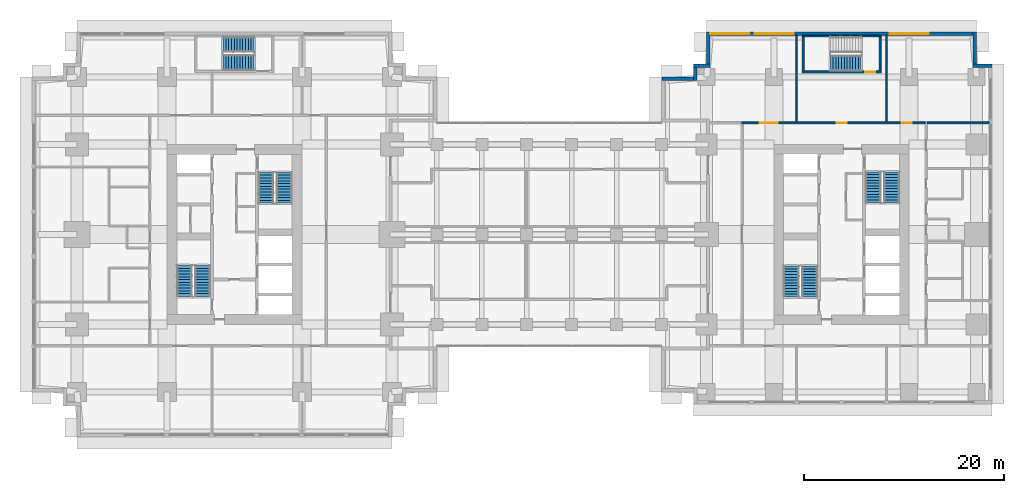
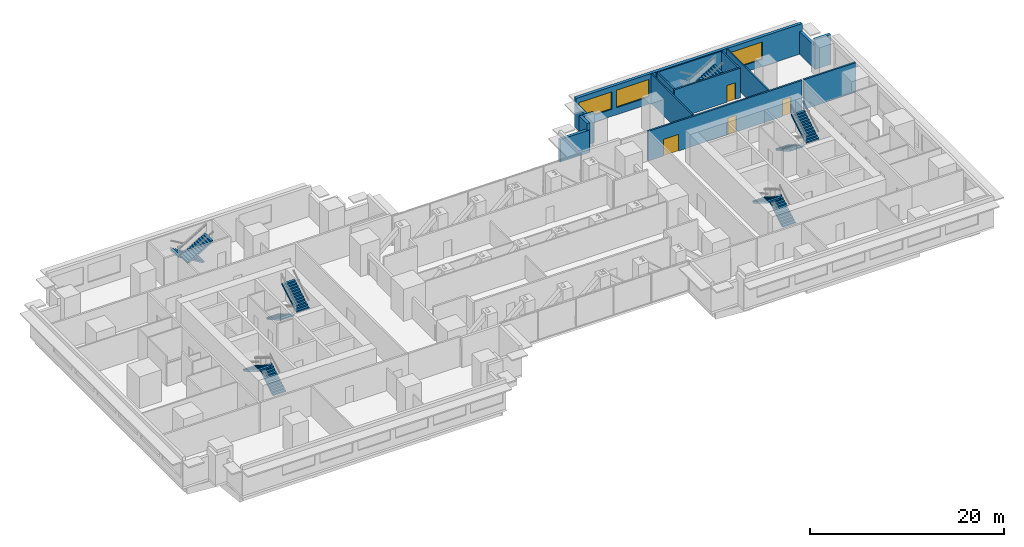
# One storey, part 12 of 16: 15 walls, 11 stair flights, 4 doors, 3 windows, 7 openings, 6 elements without a shape of their own.
"""IFC4 building model written with IfcOpenShell, lengths in metres."""

from ifc_helpers import new_model, si_unit, direction, frame, frame_2d, origin, place, context, subcontext, project, spatial, polyline, rectangle, outline, extrude, material, layer, layer_set, type_object, element, fill, aggregate, save


model = new_model("IFC4")

# Units and contexts
model_context = context("Model", 3, precision=1e-05, world=origin(), true_north=direction((0.0, 1.0)))
body_context = subcontext(model_context, "Body", "Model", "MODEL_VIEW")
ifc_project = project(units=[si_unit("LENGTHUNIT", "METRE"), si_unit("AREAUNIT", "SQUARE_METRE"), si_unit("VOLUMEUNIT", "CUBIC_METRE"), si_unit("PLANEANGLEUNIT", "RADIAN"), si_unit("MASSUNIT", "GRAM", prefix="KILO")], contexts=[model_context])

# Site, building, storey
site_placement = place(None, origin())
site = spatial("IfcSite", under=ifc_project, at=site_placement, CompositionType="ELEMENT")
building_placement = place(site_placement, origin())
building = spatial("IfcBuilding", under=site, at=building_placement, Name="Namib Vertical Campus", CompositionType="ELEMENT")
storey_placement = place(building_placement, frame((0.0, 0.0, 117.0)))
storey = spatial("IfcBuildingStorey", under=building, at=storey_placement, Name="L27", CompositionType="ELEMENT", Elevation=117.0)

# Wall, openings, doors
ifc_material_1 = material(Name="Concrete masonry", Category="masonry")
ifc_layer_1 = layer(ifc_material_1, 0.199951171875)
ifc_layer_set_1 = layer_set([ifc_layer_1], Name="Corridor wall 200")
wall_type_1 = type_object("IfcWallType", Name="Corridor wall 200", PredefinedType="SOLIDWALL", material=ifc_layer_set_1)
wall_1_placement = place(storey_placement, frame((89.35009765625, 31.39990234375, 0.0), z_axis=(0.0, 0.0, 1.0), x_axis=(-1.0, 0.0, 0.0)))
wall_1 = element("IfcWall", 1, at=wall_1_placement, inside=storey, type_object=wall_type_1, Name="Corridor wall B L27 CN", PredefinedType="SOLIDWALL", context=body_context, shape_type="SweptSolid", body=[
    extrude(rectangle(XDim=18.400146484375, YDim=0.199951171875, at=frame_2d((9.2001953125, 0.0))), origin(), (0.0, 0.0, 1.0), 3.75),
])
opening_1_placement = place(wall_1_placement, frame((14.72509765625, 0.0, 0.0)))
opening_1 = element("IfcOpeningElement", 2, at=opening_1_placement, cuts=wall_1, Name="Opening CD2", PredefinedType="OPENING", context=body_context, shape_type="SweptSolid", body=[
    extrude(rectangle(XDim=1.800048828125, YDim=2.10009765625, at=frame_2d((0.89990234375, 1.050048828125))), frame((0.0, 0.10986328125, 0.0), z_axis=(0.0, -1.0, 0.0), x_axis=(1.0, 0.0, 0.0)), (0.0, 0.0, 1.0), 0.219970703125),
])
opening_2_placement = place(wall_1_placement, frame((7.85009765625, 0.0, 0.0)))
opening_2 = element("IfcOpeningElement", 3, at=opening_2_placement, cuts=wall_1, Name="Opening CD1", PredefinedType="OPENING", context=body_context, shape_type="SweptSolid", body=[
    extrude(rectangle(XDim=1.0, YDim=2.10009765625, at=frame_2d((0.5, 1.050048828125))), frame((0.0, 0.10986328125, 0.0), z_axis=(0.0, -1.0, 0.0), x_axis=(1.0, 0.0, 0.0)), (0.0, 0.0, 1.0), 0.219970703125),
])
opening_3_placement = place(wall_1_placement, frame((1.324951171875, 0.0, 0.0)))
opening_3 = element("IfcOpeningElement", 4, at=opening_3_placement, cuts=wall_1, Name="Opening CD1", PredefinedType="OPENING", context=body_context, shape_type="SweptSolid", body=[
    extrude(rectangle(XDim=1.0, YDim=2.10009765625, at=frame_2d((0.5, 1.050048828125))), frame((0.0, 0.10986328125, 0.0), z_axis=(0.0, -1.0, 0.0), x_axis=(1.0, 0.0, 0.0)), (0.0, 0.0, 1.0), 0.219970703125),
])
ifc_material_2 = material(Name="Timber fire door leaf", Category="wood")
door_type_1 = type_object("IfcDoorType", Name="Corridor door 1000x2100 20 min", OperationType="SINGLE_SWING_LEFT", PredefinedType="DOOR", material=ifc_material_2)
door_1_placement = place(opening_2_placement, frame((1.0, 0.0, 0.0), z_axis=(0.0, 0.0, 1.0), x_axis=(-1.0, 0.0, 0.0)))
door_1 = element("IfcDoor", 5, at=door_1_placement, inside=storey, type_object=door_type_1, Name="Door CD1 B27-12", OperationType="SINGLE_SWING_RIGHT", OverallHeight=2.10009765625, OverallWidth=1.0, PredefinedType="DOOR", context=body_context, shape_type="SweptSolid", body=[
    extrude(rectangle(XDim=1.0, YDim=2.10009765625, at=frame_2d((0.5, 1.050048828125))), frame((0.0, 0.02490234375, 0.0), z_axis=(0.0, -1.0, 0.0), x_axis=(1.0, 0.0, 0.0)), (0.0, 0.0, 1.0), 0.050048828125),
])
fill(opening_2, door_1)
door_2_placement = place(opening_3_placement, frame((1.0, 0.0, 0.0), z_axis=(0.0, 0.0, 1.0), x_axis=(-1.0, 0.0, 0.0)))
door_2 = element("IfcDoor", 6, at=door_2_placement, inside=storey, type_object=door_type_1, Name="Door CD1 B27-13", OperationType="SINGLE_SWING_LEFT", OverallHeight=2.10009765625, OverallWidth=1.0, PredefinedType="DOOR", context=body_context, shape_type="SweptSolid", body=[
    extrude(rectangle(XDim=1.0, YDim=2.10009765625, at=frame_2d((0.5, 1.050048828125))), frame((0.0, 0.02490234375, 0.0), z_axis=(0.0, -1.0, 0.0), x_axis=(1.0, 0.0, 0.0)), (0.0, 0.0, 1.0), 0.050048828125),
])
fill(opening_3, door_2)
ifc_material_3 = material(Name="Timber fire door leaf", Category="wood")
door_type_2 = type_object("IfcDoorType", Name="Corridor door double 1800x2100 20 min", OperationType="DOUBLE_DOOR_SINGLE_SWING", PredefinedType="DOOR", material=ifc_material_3)
door_3_placement = place(opening_1_placement, frame((1.800048828125, 0.0, 0.0), z_axis=(0.0, 0.0, 1.0), x_axis=(-1.0, 0.0, 0.0)))
door_3 = element("IfcDoor", 7, at=door_3_placement, inside=storey, type_object=door_type_2, Name="Door CD2 B27-11", OperationType="DOUBLE_DOOR_SINGLE_SWING", OverallHeight=2.10009765625, OverallWidth=1.800048828125, PredefinedType="DOOR", context=body_context, shape_type="SweptSolid", body=[
    extrude(rectangle(XDim=1.800048828125, YDim=2.10009765625, at=frame_2d((0.89990234375, 1.050048828125))), frame((0.0, 0.02490234375, 0.0), z_axis=(0.0, -1.0, 0.0), x_axis=(1.0, 0.0, 0.0)), (0.0, 0.0, 1.0), 0.050048828125),
])
fill(opening_1, door_3)

# Walls
wall_2_placement = place(storey_placement, frame((89.550048828125, 31.39990234375, 0.0), z_axis=(0.0, 0.0, 1.0), x_axis=(1.0, 0.0, 0.0)))
element("IfcWall", 8, at=wall_2_placement, inside=storey, type_object=wall_type_1, Name="Partition B L27 BNE", PredefinedType="SOLIDWALL", context=body_context, shape_type="SweptSolid", body=[
    extrude(rectangle(XDim=6.199951171875, YDim=0.199951171875, at=frame_2d((3.10009765625, 0.0))), origin(), (0.0, 0.0, 1.0), 3.75),
])
ifc_material_4 = material(Name="Concrete C40/50", Category="concrete")
ifc_layer_2 = layer(ifc_material_4, 0.35009765625)
ifc_layer_set_2 = layer_set([ifc_layer_2], Name="Concrete C40/50")
wall_type_2 = type_object("IfcWallType", Name="External wall 350 bush-hammered concrete", PredefinedType="STANDARD", material=ifc_layer_set_2)
wall_3_placement = place(storey_placement, frame((96.030029296875, 37.125, 0.0), z_axis=(0.0, 0.0, 1.0), x_axis=(-1.0, 0.0, 0.0)))
element("IfcWall", 9, at=wall_3_placement, inside=storey, type_object=wall_type_2, Name="External wall L27 F06", PredefinedType="STANDARD", context=body_context, shape_type="SweptSolid", body=[
    extrude(rectangle(XDim=1.860107421875, YDim=0.35009765625, at=frame_2d((0.93017578125, 0.0))), origin(), (0.0, 0.0, 1.0), 3.75),
])
wall_4_placement = place(storey_placement, frame((94.324951171875, 36.969970703125, 0.0), z_axis=(0.0, 0.0, 1.0), x_axis=(0.0, 1.0, 0.0)))
element("IfcWall", 10, at=wall_4_placement, inside=storey, type_object=wall_type_2, Name="External wall L27 F07", PredefinedType="STANDARD", context=body_context, shape_type="SweptSolid", body=[
    extrude(rectangle(XDim=3.510009765625, YDim=0.35009765625, at=frame_2d((1.7548828125, 0.0))), origin(), (0.0, 0.0, 1.0), 2.85009765625),
])

# Wall, openings, windows
wall_5_placement = place(storey_placement, frame((94.47998046875, 40.324951171875, 0.0), z_axis=(0.0, 0.0, 1.0), x_axis=(-1.0, 0.0, 0.0)))
wall_5 = element("IfcWall", 11, at=wall_5_placement, inside=storey, type_object=wall_type_2, Name="External wall L27 F08", PredefinedType="STANDARD", context=body_context, shape_type="SweptSolid", body=[
    extrude(rectangle(XDim=26.9599609375, YDim=0.35009765625, at=frame_2d((13.47998046875, 0.0))), origin(), (0.0, 0.0, 1.0), 3.75),
])
opening_4_placement = place(wall_5_placement, frame((22.7099609375, 0.0, 0.89990234375)))
opening_4 = element("IfcOpeningElement", 12, at=opening_4_placement, cuts=wall_5, Name="Opening W1", PredefinedType="OPENING", context=body_context, shape_type="SweptSolid", body=[
    extrude(rectangle(XDim=3.89990234375, YDim=2.199951171875, at=frame_2d((1.949951171875, 1.10009765625))), frame((0.0, 0.18505859375, 0.0), z_axis=(0.0, -1.0, 0.0), x_axis=(1.0, 0.0, 0.0)), (0.0, 0.0, 1.0), 0.3701171875),
])
opening_5_placement = place(wall_5_placement, frame((18.280029296875, 0.0, 0.89990234375)))
opening_5 = element("IfcOpeningElement", 13, at=opening_5_placement, cuts=wall_5, Name="Opening W1", PredefinedType="OPENING", context=body_context, shape_type="SweptSolid", body=[
    extrude(rectangle(XDim=3.89990234375, YDim=2.199951171875, at=frame_2d((1.949951171875, 1.10009765625))), frame((0.0, 0.18505859375, 0.0), z_axis=(0.0, -1.0, 0.0), x_axis=(1.0, 0.0, 0.0)), (0.0, 0.0, 1.0), 0.3701171875),
])
opening_6_placement = place(wall_5_placement, frame((4.780029296875, 0.0, 0.89990234375)))
opening_6 = element("IfcOpeningElement", 14, at=opening_6_placement, cuts=wall_5, Name="Opening W1", PredefinedType="OPENING", context=body_context, shape_type="SweptSolid", body=[
    extrude(rectangle(XDim=3.89990234375, YDim=2.199951171875, at=frame_2d((1.949951171875, 1.10009765625))), frame((0.0, 0.18505859375, 0.0), z_axis=(0.0, -1.0, 0.0), x_axis=(1.0, 0.0, 0.0)), (0.0, 0.0, 1.0), 0.3701171875),
])
ifc_material_5 = material(Name="Dark tinted glass in black aluminium frame", Category="aluminium")
window_type = type_object("IfcWindowType", Name="Ribbon window 3900x2200", PartitioningType="SINGLE_PANEL", PredefinedType="WINDOW", material=ifc_material_5)
window_1_placement = place(opening_4_placement, origin())
window_1 = element("IfcWindow", 15, at=window_1_placement, inside=storey, type_object=window_type, Name="Window W1 L27 F08-1", OverallHeight=2.199951171875, OverallWidth=3.89990234375, PartitioningType="SINGLE_PANEL", PredefinedType="WINDOW", context=body_context, shape_type="SweptSolid", body=[
    extrude(rectangle(XDim=3.89990234375, YDim=2.199951171875, at=frame_2d((1.949951171875, 1.10009765625))), frame((0.0, 0.030029296875, 0.0), z_axis=(0.0, -1.0, 0.0), x_axis=(1.0, 0.0, 0.0)), (0.0, 0.0, 1.0), 0.06005859375),
])
fill(opening_4, window_1)
window_2_placement = place(opening_5_placement, origin())
window_2 = element("IfcWindow", 16, at=window_2_placement, inside=storey, type_object=window_type, Name="Window W1 L27 F08-2", OverallHeight=2.199951171875, OverallWidth=3.89990234375, PartitioningType="SINGLE_PANEL", PredefinedType="WINDOW", context=body_context, shape_type="SweptSolid", body=[
    extrude(rectangle(XDim=3.89990234375, YDim=2.199951171875, at=frame_2d((1.949951171875, 1.10009765625))), frame((0.0, 0.030029296875, 0.0), z_axis=(0.0, -1.0, 0.0), x_axis=(1.0, 0.0, 0.0)), (0.0, 0.0, 1.0), 0.06005859375),
])
fill(opening_5, window_2)
window_3_placement = place(opening_6_placement, origin())
window_3 = element("IfcWindow", 17, at=window_3_placement, inside=storey, type_object=window_type, Name="Window W1 L27 F08-5", OverallHeight=2.199951171875, OverallWidth=3.89990234375, PartitioningType="SINGLE_PANEL", PredefinedType="WINDOW", context=body_context, shape_type="SweptSolid", body=[
    extrude(rectangle(XDim=3.89990234375, YDim=2.199951171875, at=frame_2d((1.949951171875, 1.10009765625))), frame((0.0, 0.030029296875, 0.0), z_axis=(0.0, -1.0, 0.0), x_axis=(1.0, 0.0, 0.0)), (0.0, 0.0, 1.0), 0.06005859375),
])
fill(opening_6, window_3)

# Walls
wall_6_placement = place(storey_placement, frame((67.675048828125, 40.47998046875, 0.0), z_axis=(0.0, 0.0, 1.0), x_axis=(0.0, -1.0, 0.0)))
element("IfcWall", 18, at=wall_6_placement, inside=storey, type_object=wall_type_2, Name="External wall L27 F09", PredefinedType="STANDARD", context=body_context, shape_type="SweptSolid", body=[
    extrude(rectangle(XDim=3.510009765625, YDim=0.35009765625, at=frame_2d((1.7548828125, 0.0))), origin(), (0.0, 0.0, 1.0), 2.85009765625),
])
for number, where, z_axis, x_axis, name in (
    (19, (67.830078125, 37.125, 0.0), (0.0, 0.0, 1.0), (-1.0, 0.0, 0.0), "External wall L27 F10"),
    (20, (66.375, 37.280029296875, 0.0), (0.0, 0.0, 1.0), (0.0, -1.0, 0.0), "External wall L27 F11"),
):
    element("IfcWall", number, at=place(storey_placement, frame(where, z_axis=z_axis, x_axis=x_axis)), inside=storey, type_object=wall_type_2, Name=name, PredefinedType="STANDARD", context=body_context, shape_type="SweptSolid", body=[
        extrude(rectangle(XDim=1.610107421875, YDim=0.35009765625, at=frame_2d((0.80517578125, 0.0))), origin(), (0.0, 0.0, 1.0), 3.75),
    ])
wall_7_placement = place(storey_placement, frame((66.530029296875, 35.824951171875, 0.0), z_axis=(0.0, 0.0, 1.0), x_axis=(-1.0, 0.0, 0.0)))
element("IfcWall", 21, at=wall_7_placement, inside=storey, type_object=wall_type_2, Name="External wall L27 F12", PredefinedType="STANDARD", context=body_context, shape_type="SweptSolid", body=[
    extrude(rectangle(XDim=3.510009765625, YDim=0.35009765625, at=frame_2d((1.7548828125, 0.0))), origin(), (0.0, 0.0, 1.0), 2.85009765625),
])
ifc_material_6 = material(Name="Gypsum board on steel studs", Category="steel")
ifc_layer_3 = layer(ifc_material_6, 0.14990234375)
ifc_layer_set_3 = layer_set([ifc_layer_3], Name="Gypsum board on steel studs")
wall_type_3 = type_object("IfcWallType", Name="Partition 150", PredefinedType="PARTITIONING", material=ifc_layer_set_3)
for number, where, z_axis, x_axis, name in (
    (22, (76.5, 31.5, 0.0), (0.0, 0.0, 1.0), (0.0, 1.0, 0.0), "Partition B L27 PN1"),
    (23, (85.5, 31.5, 0.0), (0.0, 0.0, 1.0), (0.0, 1.0, 0.0), "Partition B L27 PN2"),
):
    element("IfcWall", number, at=place(storey_placement, frame(where, z_axis=z_axis, x_axis=x_axis)), inside=storey, type_object=wall_type_3, Name=name, PredefinedType="PARTITIONING", context=body_context, shape_type="SweptSolid", body=[
        extrude(rectangle(XDim=8.699951171875, YDim=0.14990234375, at=frame_2d((4.35009765625, 0.0))), origin(), (0.0, 0.0, 1.0), 3.75),
    ])
ifc_material_7 = material(Name="Concrete C40/50", Category="concrete")
ifc_layer_4 = layer(ifc_material_7, 0.14990234375)
ifc_layer_set_4 = layer_set([ifc_layer_4], Name="Concrete C40/50")
wall_type_4 = type_object("IfcWallType", Name="Stair enclosure wall RC 150", PredefinedType="SOLIDWALL", material=ifc_layer_set_4)
wall_8_placement = place(storey_placement, frame((77.050048828125, 40.074951171875, 0.0), z_axis=(0.0, 0.0, 1.0), x_axis=(1.0, 0.0, 0.0)))
element("IfcWall", 24, at=wall_8_placement, inside=storey, type_object=wall_type_4, Name="Stair enclosure wall B-S3 L27 N", PredefinedType="SOLIDWALL", context=body_context, shape_type="SweptSolid", body=[
    extrude(rectangle(XDim=7.89990234375, YDim=0.14990234375, at=frame_2d((3.949951171875, 0.0))), origin(), (0.0, 0.0, 1.0), 3.75),
])

# Wall, opening, door
ifc_material_8 = material(Name="Concrete C40/50", Category="concrete")
ifc_layer_5 = layer(ifc_material_8, 0.199951171875)
ifc_layer_set_5 = layer_set([ifc_layer_5], Name="Concrete C40/50")
wall_type_5 = type_object("IfcWallType", Name="Stair enclosure wall RC 200", PredefinedType="SOLIDWALL", material=ifc_layer_set_5)
wall_9_placement = place(storey_placement, frame((77.050048828125, 36.5, 0.0), z_axis=(0.0, 0.0, 1.0), x_axis=(1.0, 0.0, 0.0)))
wall_9 = element("IfcWall", 25, at=wall_9_placement, inside=storey, type_object=wall_type_5, Name="Stair enclosure wall B-S3 L27 S", PredefinedType="SOLIDWALL", context=body_context, shape_type="SweptSolid", body=[
    extrude(rectangle(XDim=7.89990234375, YDim=0.199951171875, at=frame_2d((3.949951171875, 0.0))), origin(), (0.0, 0.0, 1.0), 3.75),
])
opening_7_placement = place(wall_9_placement, frame((6.300048828125, 0.0, 0.0)))
opening_7 = element("IfcOpeningElement", 26, at=opening_7_placement, cuts=wall_9, Name="Opening FD1", PredefinedType="OPENING", context=body_context, shape_type="SweptSolid", body=[
    extrude(rectangle(XDim=1.0, YDim=2.10009765625, at=frame_2d((0.5, 1.050048828125))), frame((0.0, 0.10986328125, 0.0), z_axis=(0.0, -1.0, 0.0), x_axis=(1.0, 0.0, 0.0)), (0.0, 0.0, 1.0), 0.219970703125),
])
ifc_material_9 = material(Name="Steel fire door", Category="steel")
door_type_3 = type_object("IfcDoorType", Name="Fire door 1000x2100", OperationType="SINGLE_SWING_RIGHT", PredefinedType="DOOR", material=ifc_material_9)
door_4_placement = place(opening_7_placement, origin())
door_4 = element("IfcDoor", 27, at=door_4_placement, inside=storey, type_object=door_type_3, Name="Stair door FD1 B L27 S3", OperationType="SINGLE_SWING_RIGHT", OverallHeight=2.10009765625, OverallWidth=1.0, PredefinedType="DOOR", context=body_context, shape_type="SweptSolid", body=[
    extrude(rectangle(XDim=1.0, YDim=2.10009765625, at=frame_2d((0.5, 1.050048828125))), frame((0.0, 0.02490234375, 0.0), z_axis=(0.0, -1.0, 0.0), x_axis=(1.0, 0.0, 0.0)), (0.0, 0.0, 1.0), 0.050048828125),
])
fill(opening_7, door_4)

# Walls
for number, where, z_axis, x_axis, name in (
    (28, (77.14990234375, 36.60009765625, 0.0), (0.0, 0.0, 1.0), (0.0, 1.0, 0.0), "Stair enclosure wall B-S3 L27 W"),
    (29, (84.85009765625, 36.60009765625, 0.0), (0.0, 0.0, 1.0), (0.0, 1.0, 0.0), "Stair enclosure wall B-S3 L27 E"),
):
    element("IfcWall", number, at=place(storey_placement, frame(where, z_axis=z_axis, x_axis=x_axis)), inside=storey, type_object=wall_type_5, Name=name, PredefinedType="SOLIDWALL", context=body_context, shape_type="SweptSolid", body=[
        extrude(rectangle(XDim=3.39990234375, YDim=0.199951171875, at=frame_2d((1.699951171875, 0.0))), origin(), (0.0, 0.0, 1.0), 3.75),
    ])

# Stair, stair flights
ifc_material_10 = material(Name="Concrete C40/50 precast", Category="concrete")
stair_type_1 = type_object("IfcStairType", Name="Exit stair 4000 rise 24 risers 3350 wide", PredefinedType="HALF_TURN_STAIR", material=ifc_material_10)
stair_1_placement = place(storey_placement, origin())
stair_1 = element("IfcStair", 30, at=stair_1_placement, inside=storey, type_object=stair_type_1, Name="Exit stair A-S1 L27", PredefinedType="HALF_TURN_STAIR")
ifc_material_11 = material(Name="Concrete C40/50 precast", Category="concrete")
stair_flight_type_1 = type_object("IfcStairFlightType", Name="Stair flight 12 risers 167 1525 wide", PredefinedType="STRAIGHT", material=ifc_material_11)
stair_flight_1_placement = place(storey_placement, frame((17.08740234375, 14.050048828125, 0.0), z_axis=(0.0, 0.0, 1.0), x_axis=(0.0, 1.0, 0.0)))
stair_flight_1 = element("IfcStairFlight", 31, at=stair_flight_1_placement, type_object=stair_flight_type_1, Name="A-S1 flight 1", NumberOfRisers=12, NumberOfTreads=11, PredefinedType="STRAIGHT", RiserHeight=0.166666667, TreadLength=0.28, context=body_context, shape_type="SweptSolid", body=[
    extrude(outline(polyline([(0.0, 0.0), (0.0, 0.166748046875), (0.280029296875, 0.166748046875), (0.280029296875, 0.333251953125), (0.56005859375, 0.333251953125), (0.56005859375, 0.5), (0.840087890625, 0.5), (0.840087890625, 0.666748046875), (1.1201171875, 0.666748046875), (1.1201171875, 0.833251953125), (1.39990234375, 0.833251953125), (1.39990234375, 1.0), (1.679931640625, 1.0), (1.679931640625, 1.166748046875), (1.9599609375, 1.166748046875), (1.9599609375, 1.333251953125), (2.239990234375, 1.333251953125), (2.239990234375, 1.5), (2.52001953125, 1.5), (2.52001953125, 1.666748046875), (2.800048828125, 1.666748046875), (2.800048828125, 1.833251953125), (3.080078125, 1.833251953125), (3.080078125, 2.0), (3.080078125, 1.658935546875), (0.29296875, 0.0), (0.0, 0.0)])), frame((0.0, 0.762451171875, 0.0), z_axis=(0.0, -1.0, 0.0), x_axis=(1.0, 0.0, 0.0)), (0.0, 0.0, 1.0), 1.52490234375),
])
stair_flight_2_placement = place(storey_placement, frame((15.262451171875, 17.1298828125, 2.0), z_axis=(0.0, 0.0, 1.0), x_axis=(0.0, -1.0, 0.0)))
stair_flight_2 = element("IfcStairFlight", 32, at=stair_flight_2_placement, type_object=stair_flight_type_1, Name="A-S1 flight 2", NumberOfRisers=12, NumberOfTreads=11, PredefinedType="STRAIGHT", RiserHeight=0.166666667, TreadLength=0.28, context=body_context, shape_type="SweptSolid", body=[
    extrude(outline(polyline([(0.0, 0.0), (0.0, 0.166748046875), (0.280029296875, 0.166748046875), (0.280029296875, 0.333251953125), (0.56005859375, 0.333251953125), (0.56005859375, 0.5), (0.840087890625, 0.5), (0.840087890625, 0.666748046875), (1.1201171875, 0.666748046875), (1.1201171875, 0.833251953125), (1.39990234375, 0.833251953125), (1.39990234375, 1.0), (1.679931640625, 1.0), (1.679931640625, 1.166748046875), (1.9599609375, 1.166748046875), (1.9599609375, 1.333251953125), (2.239990234375, 1.333251953125), (2.239990234375, 1.5), (2.52001953125, 1.5), (2.52001953125, 1.666748046875), (2.800048828125, 1.666748046875), (2.800048828125, 1.833251953125), (3.080078125, 1.833251953125), (3.080078125, 2.0), (3.080078125, 1.658935546875), (0.29296875, 0.0), (0.0, 0.0)])), frame((0.0, 0.762451171875, 0.0), z_axis=(0.0, -1.0, 0.0), x_axis=(1.0, 0.0, 0.0)), (0.0, 0.0, 1.0), 1.52490234375),
])
aggregate(stair_1, [stair_flight_1, stair_flight_2])

stair_2_placement = place(storey_placement, origin())
stair_2 = element("IfcStair", 33, at=stair_2_placement, inside=storey, type_object=stair_type_1, Name="Exit stair A-S2 L27", PredefinedType="HALF_TURN_STAIR")
stair_flight_3_placement = place(storey_placement, frame((23.41259765625, 26.449951171875, 0.0), z_axis=(0.0, 0.0, 1.0), x_axis=(0.0, -1.0, 0.0)))
stair_flight_3 = element("IfcStairFlight", 34, at=stair_flight_3_placement, type_object=stair_flight_type_1, Name="A-S2 flight 1", NumberOfRisers=12, NumberOfTreads=11, PredefinedType="STRAIGHT", RiserHeight=0.166666667, TreadLength=0.28, context=body_context, shape_type="SweptSolid", body=[
    extrude(outline(polyline([(0.0, 0.0), (0.0, 0.166748046875), (0.280029296875, 0.166748046875), (0.280029296875, 0.333251953125), (0.56005859375, 0.333251953125), (0.56005859375, 0.5), (0.840087890625, 0.5), (0.840087890625, 0.666748046875), (1.1201171875, 0.666748046875), (1.1201171875, 0.833251953125), (1.39990234375, 0.833251953125), (1.39990234375, 1.0), (1.679931640625, 1.0), (1.679931640625, 1.166748046875), (1.9599609375, 1.166748046875), (1.9599609375, 1.333251953125), (2.239990234375, 1.333251953125), (2.239990234375, 1.5), (2.52001953125, 1.5), (2.52001953125, 1.666748046875), (2.800048828125, 1.666748046875), (2.800048828125, 1.833251953125), (3.080078125, 1.833251953125), (3.080078125, 2.0), (3.080078125, 1.658935546875), (0.29296875, 0.0), (0.0, 0.0)])), frame((0.0, 0.762451171875, 0.0), z_axis=(0.0, -1.0, 0.0), x_axis=(1.0, 0.0, 0.0)), (0.0, 0.0, 1.0), 1.52490234375),
])
stair_flight_4_placement = place(storey_placement, frame((25.237548828125, 23.3701171875, 2.0), z_axis=(0.0, 0.0, 1.0), x_axis=(0.0, 1.0, 0.0)))
stair_flight_4 = element("IfcStairFlight", 35, at=stair_flight_4_placement, type_object=stair_flight_type_1, Name="A-S2 flight 2", NumberOfRisers=12, NumberOfTreads=11, PredefinedType="STRAIGHT", RiserHeight=0.166666667, TreadLength=0.28, context=body_context, shape_type="SweptSolid", body=[
    extrude(outline(polyline([(0.0, 0.0), (0.0, 0.166748046875), (0.280029296875, 0.166748046875), (0.280029296875, 0.333251953125), (0.56005859375, 0.333251953125), (0.56005859375, 0.5), (0.840087890625, 0.5), (0.840087890625, 0.666748046875), (1.1201171875, 0.666748046875), (1.1201171875, 0.833251953125), (1.39990234375, 0.833251953125), (1.39990234375, 1.0), (1.679931640625, 1.0), (1.679931640625, 1.166748046875), (1.9599609375, 1.166748046875), (1.9599609375, 1.333251953125), (2.239990234375, 1.333251953125), (2.239990234375, 1.5), (2.52001953125, 1.5), (2.52001953125, 1.666748046875), (2.800048828125, 1.666748046875), (2.800048828125, 1.833251953125), (3.080078125, 1.833251953125), (3.080078125, 2.0), (3.080078125, 1.658935546875), (0.29296875, 0.0), (0.0, 0.0)])), frame((0.0, 0.762451171875, 0.0), z_axis=(0.0, -1.0, 0.0), x_axis=(1.0, 0.0, 0.0)), (0.0, 0.0, 1.0), 1.52490234375),
])
aggregate(stair_2, [stair_flight_3, stair_flight_4])

stair_3_placement = place(storey_placement, origin())
stair_3 = element("IfcStair", 36, at=stair_3_placement, inside=storey, type_object=stair_type_1, Name="Exit stair A-S3 L27", PredefinedType="HALF_TURN_STAIR")
stair_flight_5_placement = place(storey_placement, frame((22.199951171875, 39.237548828125, 0.0), z_axis=(0.0, 0.0, 1.0), x_axis=(-1.0, 0.0, 0.0)))
stair_flight_5 = element("IfcStairFlight", 37, at=stair_flight_5_placement, type_object=stair_flight_type_1, Name="A-S3 flight 1", NumberOfRisers=12, NumberOfTreads=11, PredefinedType="STRAIGHT", RiserHeight=0.166666667, TreadLength=0.28, context=body_context, shape_type="SweptSolid", body=[
    extrude(outline(polyline([(0.0, 0.0), (0.0, 0.166748046875), (0.280029296875, 0.166748046875), (0.280029296875, 0.333251953125), (0.56005859375, 0.333251953125), (0.56005859375, 0.5), (0.840087890625, 0.5), (0.840087890625, 0.666748046875), (1.1201171875, 0.666748046875), (1.1201171875, 0.833251953125), (1.39990234375, 0.833251953125), (1.39990234375, 1.0), (1.679931640625, 1.0), (1.679931640625, 1.166748046875), (1.9599609375, 1.166748046875), (1.9599609375, 1.333251953125), (2.239990234375, 1.333251953125), (2.239990234375, 1.5), (2.52001953125, 1.5), (2.52001953125, 1.666748046875), (2.800048828125, 1.666748046875), (2.800048828125, 1.833251953125), (3.080078125, 1.833251953125), (3.080078125, 2.0), (3.080078125, 1.658935546875), (0.29296875, 0.0), (0.0, 0.0)])), frame((0.0, 0.762451171875, 0.0), z_axis=(0.0, -1.0, 0.0), x_axis=(1.0, 0.0, 0.0)), (0.0, 0.0, 1.0), 1.52490234375),
])
stair_flight_6_placement = place(storey_placement, frame((19.1201171875, 37.41259765625, 2.0), z_axis=(0.0, 0.0, 1.0), x_axis=(1.0, 0.0, 0.0)))
stair_flight_6 = element("IfcStairFlight", 38, at=stair_flight_6_placement, type_object=stair_flight_type_1, Name="A-S3 flight 2", NumberOfRisers=12, NumberOfTreads=11, PredefinedType="STRAIGHT", RiserHeight=0.166666667, TreadLength=0.28, context=body_context, shape_type="SweptSolid", body=[
    extrude(outline(polyline([(0.0, 0.0), (0.0, 0.166748046875), (0.280029296875, 0.166748046875), (0.280029296875, 0.333251953125), (0.56005859375, 0.333251953125), (0.56005859375, 0.5), (0.840087890625, 0.5), (0.840087890625, 0.666748046875), (1.1201171875, 0.666748046875), (1.1201171875, 0.833251953125), (1.39990234375, 0.833251953125), (1.39990234375, 1.0), (1.679931640625, 1.0), (1.679931640625, 1.166748046875), (1.9599609375, 1.166748046875), (1.9599609375, 1.333251953125), (2.239990234375, 1.333251953125), (2.239990234375, 1.5), (2.52001953125, 1.5), (2.52001953125, 1.666748046875), (2.800048828125, 1.666748046875), (2.800048828125, 1.833251953125), (3.080078125, 1.833251953125), (3.080078125, 2.0), (3.080078125, 1.658935546875), (0.29296875, 0.0), (0.0, 0.0)])), frame((0.0, 0.762451171875, 0.0), z_axis=(0.0, -1.0, 0.0), x_axis=(1.0, 0.0, 0.0)), (0.0, 0.0, 1.0), 1.52490234375),
])
aggregate(stair_3, [stair_flight_5, stair_flight_6])

ifc_material_12 = material(Name="Concrete C40/50 precast", Category="concrete")
stair_type_2 = type_object("IfcStairType", Name="Exit stair 4000 rise 24 risers 3400 wide", PredefinedType="HALF_TURN_STAIR", material=ifc_material_12)
stair_4_placement = place(storey_placement, origin())
stair_4 = element("IfcStair", 39, at=stair_4_placement, inside=storey, type_object=stair_type_2, Name="Exit stair B-S1 L27", PredefinedType="HALF_TURN_STAIR")
ifc_material_13 = material(Name="Concrete C40/50 precast", Category="concrete")
stair_flight_type_2 = type_object("IfcStairFlightType", Name="Stair flight 12 risers 167 1550 wide", PredefinedType="STRAIGHT", material=ifc_material_13)
stair_flight_7_placement = place(storey_placement, frame((77.824951171875, 14.0, 0.0), z_axis=(0.0, 0.0, 1.0), x_axis=(0.0, 1.0, 0.0)))
stair_flight_7 = element("IfcStairFlight", 40, at=stair_flight_7_placement, type_object=stair_flight_type_2, Name="B-S1 flight 1", NumberOfRisers=12, NumberOfTreads=11, PredefinedType="STRAIGHT", RiserHeight=0.166666667, TreadLength=0.28, context=body_context, shape_type="SweptSolid", body=[
    extrude(outline(polyline([(0.0, 0.0), (0.0, 0.166748046875), (0.280029296875, 0.166748046875), (0.280029296875, 0.333251953125), (0.56005859375, 0.333251953125), (0.56005859375, 0.5), (0.840087890625, 0.5), (0.840087890625, 0.666748046875), (1.1201171875, 0.666748046875), (1.1201171875, 0.833251953125), (1.39990234375, 0.833251953125), (1.39990234375, 1.0), (1.679931640625, 1.0), (1.679931640625, 1.166748046875), (1.9599609375, 1.166748046875), (1.9599609375, 1.333251953125), (2.239990234375, 1.333251953125), (2.239990234375, 1.5), (2.52001953125, 1.5), (2.52001953125, 1.666748046875), (2.800048828125, 1.666748046875), (2.800048828125, 1.833251953125), (3.080078125, 1.833251953125), (3.080078125, 2.0), (3.080078125, 1.658935546875), (0.29296875, 0.0), (0.0, 0.0)])), frame((0.0, 0.77490234375, 0.0), z_axis=(0.0, -1.0, 0.0), x_axis=(1.0, 0.0, 0.0)), (0.0, 0.0, 1.0), 1.550048828125),
])
stair_flight_8_placement = place(storey_placement, frame((75.97509765625, 17.080078125, 2.0), z_axis=(0.0, 0.0, 1.0), x_axis=(0.0, -1.0, 0.0)))
stair_flight_8 = element("IfcStairFlight", 41, at=stair_flight_8_placement, type_object=stair_flight_type_2, Name="B-S1 flight 2", NumberOfRisers=12, NumberOfTreads=11, PredefinedType="STRAIGHT", RiserHeight=0.166666667, TreadLength=0.28, context=body_context, shape_type="SweptSolid", body=[
    extrude(outline(polyline([(0.0, 0.0), (0.0, 0.166748046875), (0.280029296875, 0.166748046875), (0.280029296875, 0.333251953125), (0.56005859375, 0.333251953125), (0.56005859375, 0.5), (0.840087890625, 0.5), (0.840087890625, 0.666748046875), (1.1201171875, 0.666748046875), (1.1201171875, 0.833251953125), (1.39990234375, 0.833251953125), (1.39990234375, 1.0), (1.679931640625, 1.0), (1.679931640625, 1.166748046875), (1.9599609375, 1.166748046875), (1.9599609375, 1.333251953125), (2.239990234375, 1.333251953125), (2.239990234375, 1.5), (2.52001953125, 1.5), (2.52001953125, 1.666748046875), (2.800048828125, 1.666748046875), (2.800048828125, 1.833251953125), (3.080078125, 1.833251953125), (3.080078125, 2.0), (3.080078125, 1.658935546875), (0.29296875, 0.0), (0.0, 0.0)])), frame((0.0, 0.77490234375, 0.0), z_axis=(0.0, -1.0, 0.0), x_axis=(1.0, 0.0, 0.0)), (0.0, 0.0, 1.0), 1.550048828125),
])
aggregate(stair_4, [stair_flight_7, stair_flight_8])

stair_5_placement = place(storey_placement, origin())
stair_5 = element("IfcStair", 42, at=stair_5_placement, inside=storey, type_object=stair_type_2, Name="Exit stair B-S2 L27", PredefinedType="HALF_TURN_STAIR")
stair_flight_9_placement = place(storey_placement, frame((84.175048828125, 26.5, 0.0), z_axis=(0.0, 0.0, 1.0), x_axis=(0.0, -1.0, 0.0)))
stair_flight_9 = element("IfcStairFlight", 43, at=stair_flight_9_placement, type_object=stair_flight_type_2, Name="B-S2 flight 1", NumberOfRisers=12, NumberOfTreads=11, PredefinedType="STRAIGHT", RiserHeight=0.166666667, TreadLength=0.28, context=body_context, shape_type="SweptSolid", body=[
    extrude(outline(polyline([(0.0, 0.0), (0.0, 0.166748046875), (0.280029296875, 0.166748046875), (0.280029296875, 0.333251953125), (0.56005859375, 0.333251953125), (0.56005859375, 0.5), (0.840087890625, 0.5), (0.840087890625, 0.666748046875), (1.1201171875, 0.666748046875), (1.1201171875, 0.833251953125), (1.39990234375, 0.833251953125), (1.39990234375, 1.0), (1.679931640625, 1.0), (1.679931640625, 1.166748046875), (1.9599609375, 1.166748046875), (1.9599609375, 1.333251953125), (2.239990234375, 1.333251953125), (2.239990234375, 1.5), (2.52001953125, 1.5), (2.52001953125, 1.666748046875), (2.800048828125, 1.666748046875), (2.800048828125, 1.833251953125), (3.080078125, 1.833251953125), (3.080078125, 2.0), (3.080078125, 1.658935546875), (0.29296875, 0.0), (0.0, 0.0)])), frame((0.0, 0.77490234375, 0.0), z_axis=(0.0, -1.0, 0.0), x_axis=(1.0, 0.0, 0.0)), (0.0, 0.0, 1.0), 1.550048828125),
])
stair_flight_10_placement = place(storey_placement, frame((86.02490234375, 23.419921875, 2.0), z_axis=(0.0, 0.0, 1.0), x_axis=(0.0, 1.0, 0.0)))
stair_flight_10 = element("IfcStairFlight", 44, at=stair_flight_10_placement, type_object=stair_flight_type_2, Name="B-S2 flight 2", NumberOfRisers=12, NumberOfTreads=11, PredefinedType="STRAIGHT", RiserHeight=0.166666667, TreadLength=0.28, context=body_context, shape_type="SweptSolid", body=[
    extrude(outline(polyline([(0.0, 0.0), (0.0, 0.166748046875), (0.280029296875, 0.166748046875), (0.280029296875, 0.333251953125), (0.56005859375, 0.333251953125), (0.56005859375, 0.5), (0.840087890625, 0.5), (0.840087890625, 0.666748046875), (1.1201171875, 0.666748046875), (1.1201171875, 0.833251953125), (1.39990234375, 0.833251953125), (1.39990234375, 1.0), (1.679931640625, 1.0), (1.679931640625, 1.166748046875), (1.9599609375, 1.166748046875), (1.9599609375, 1.333251953125), (2.239990234375, 1.333251953125), (2.239990234375, 1.5), (2.52001953125, 1.5), (2.52001953125, 1.666748046875), (2.800048828125, 1.666748046875), (2.800048828125, 1.833251953125), (3.080078125, 1.833251953125), (3.080078125, 2.0), (3.080078125, 1.658935546875), (0.29296875, 0.0), (0.0, 0.0)])), frame((0.0, 0.77490234375, 0.0), z_axis=(0.0, -1.0, 0.0), x_axis=(1.0, 0.0, 0.0)), (0.0, 0.0, 1.0), 1.550048828125),
])
aggregate(stair_5, [stair_flight_9, stair_flight_10])

# Stair, stair flight
stair_6_placement = place(storey_placement, origin())
stair_6 = element("IfcStair", 45, at=stair_6_placement, inside=storey, type_object=stair_type_2, Name="Exit stair B-S3 L27", PredefinedType="HALF_TURN_STAIR")
stair_flight_11_placement = place(storey_placement, frame((79.8701171875, 37.375, 2.0), z_axis=(0.0, 0.0, 1.0), x_axis=(1.0, 0.0, 0.0)))
stair_flight_11 = element("IfcStairFlight", 46, at=stair_flight_11_placement, type_object=stair_flight_type_2, Name="B-S3 flight 2", NumberOfRisers=12, NumberOfTreads=11, PredefinedType="STRAIGHT", RiserHeight=0.166666667, TreadLength=0.28, context=body_context, shape_type="SweptSolid", body=[
    extrude(outline(polyline([(0.0, 0.0), (0.0, 0.166748046875), (0.280029296875, 0.166748046875), (0.280029296875, 0.333251953125), (0.56005859375, 0.333251953125), (0.56005859375, 0.5), (0.840087890625, 0.5), (0.840087890625, 0.666748046875), (1.1201171875, 0.666748046875), (1.1201171875, 0.833251953125), (1.39990234375, 0.833251953125), (1.39990234375, 1.0), (1.679931640625, 1.0), (1.679931640625, 1.166748046875), (1.9599609375, 1.166748046875), (1.9599609375, 1.333251953125), (2.239990234375, 1.333251953125), (2.239990234375, 1.5), (2.52001953125, 1.5), (2.52001953125, 1.666748046875), (2.800048828125, 1.666748046875), (2.800048828125, 1.833251953125), (3.080078125, 1.833251953125), (3.080078125, 2.0), (3.080078125, 1.658935546875), (0.29296875, 0.0), (0.0, 0.0)])), frame((0.0, 0.77490234375, 0.0), z_axis=(0.0, -1.0, 0.0), x_axis=(1.0, 0.0, 0.0)), (0.0, 0.0, 1.0), 1.550048828125),
])
aggregate(stair_6, [stair_flight_11])

save(model, "model.ifc")
